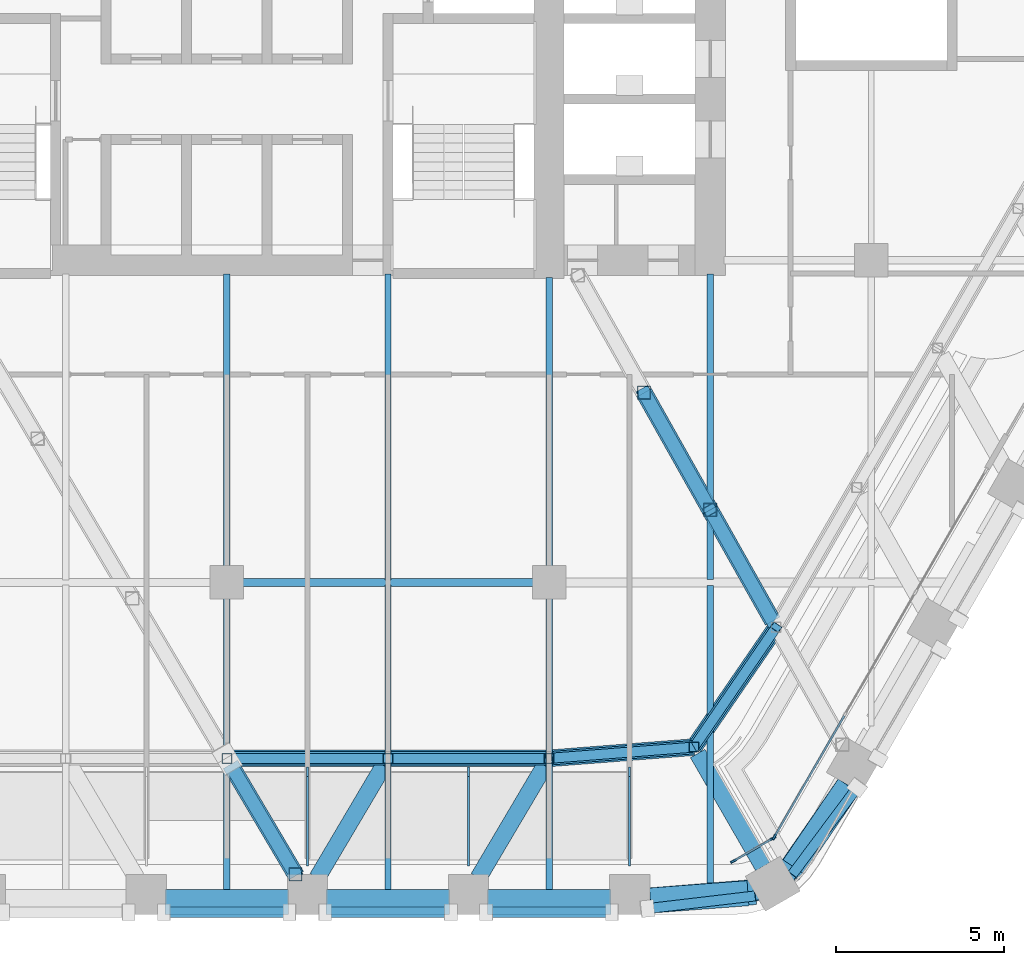
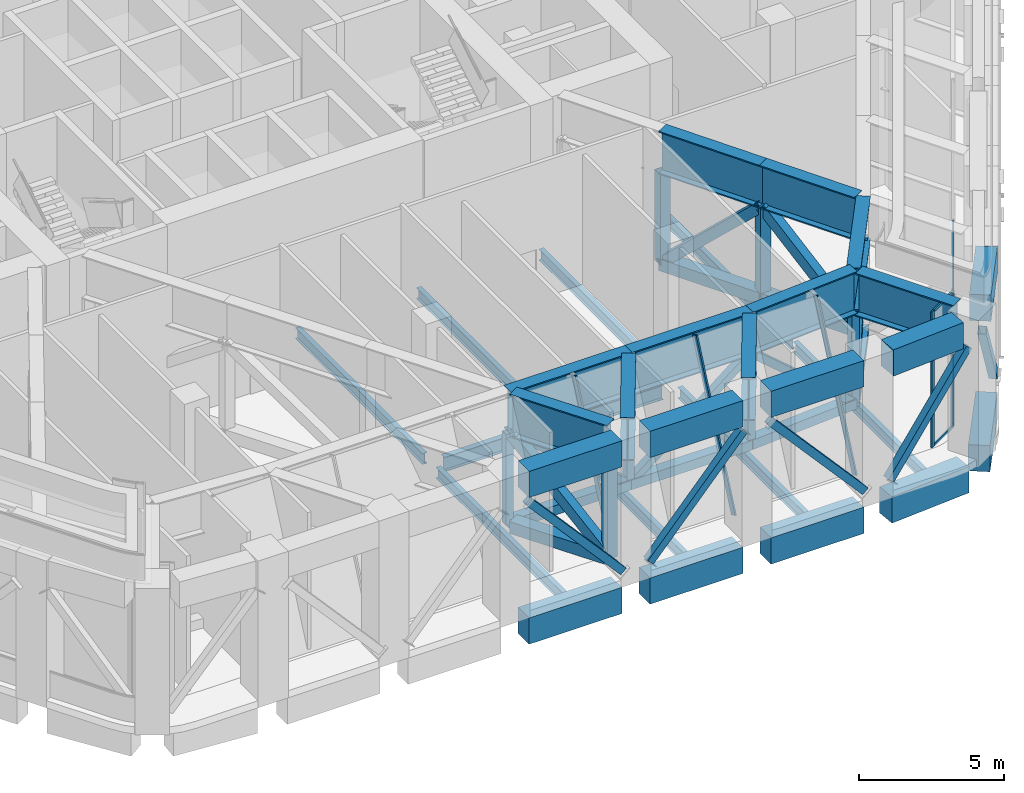
# One storey, part 5 of 27: 36 members, 29 beams, 3 elements without a shape of their own.
"""IFC4 building model written with IfcOpenShell, lengths in metres."""

import ifcopenshell
import ifcopenshell.guid

model = None  # the IFC model being written
_history = None  # IfcOwnerHistory: only IFC2X3 demands one
_inside = {}  # id of a spatial element -> (the spatial element, [elements in it])
_under = {}  # id of a project, library or spatial element -> (it, [spatial elements below it])
_declared = {}  # id of a project -> (the project, [libraries it declares])
_typed = {}  # id of a type object -> (the type object, [elements of that type])
_made_of = {}  # id of a material, layer set ... -> (it, [elements and type objects made of it])


def new_model(schema):
    """Start an empty IFC model of exactly this schema.

    Asked for "IFC4X3", IfcOpenShell would pick the latest addendum, in which some entities
    have other attributes; the version numbers below select the first issue.
    IFC2X3 requires an IfcOwnerHistory on every rooted entity: one is made here for all.
    """
    global model, _history
    if schema == "IFC4X3":
        model = ifcopenshell.file(schema_version=(4, 3, 0, 0))
    else:
        model = ifcopenshell.file(schema=schema)
    _inside.clear()
    _under.clear()
    _declared.clear()
    _typed.clear()
    _made_of.clear()
    _history = None
    if model.schema == "IFC2X3":
        org = make("IfcOrganization", Name="unknown")
        user = make(
            "IfcPersonAndOrganization",
            ThePerson=make("IfcPerson", FamilyName="unknown"),
            TheOrganization=org,
        )
        app = make(
            "IfcApplication",
            ApplicationDeveloper=org,
            Version="unknown",
            ApplicationFullName="unknown",
            ApplicationIdentifier="unknown",
        )
        _history = make(
            "IfcOwnerHistory",
            OwningUser=user,
            OwningApplication=app,
            ChangeAction="ADDED",
            CreationDate=0,
        )
    return model


def make(cls, **values):
    """One entity of the class cls with the attributes given. An attribute that is None is left unset."""
    return model.create_entity(
        cls, **{name: value for name, value in values.items() if value is not None}
    )


def rooted(cls, **values):
    """An entity with a GlobalId (a new one), such as an element, a storey or a relation."""
    return make(cls, GlobalId=ifcopenshell.guid.new(), OwnerHistory=_history, **values)


def si_unit(unit_type, name, prefix=None):
    """IfcSIUnit, for example si_unit("LENGTHUNIT", "METRE", prefix="MILLI")."""
    return make("IfcSIUnit", UnitType=unit_type, Prefix=prefix, Name=name)


def assignment(units):
    """IfcUnitAssignment: the units of a project."""
    return None if units is None else make("IfcUnitAssignment", Units=units)


def point(xyz):
    """IfcCartesianPoint."""
    return None if xyz is None else make("IfcCartesianPoint", Coordinates=xyz)


def direction(xyz):
    """IfcDirection."""
    return None if xyz is None else make("IfcDirection", DirectionRatios=xyz)


def frame(location, z_axis=None, x_axis=None):
    """IfcAxis2Placement3D, a coordinate frame: its origin and axes. An axis left out is left unset."""
    return make(
        "IfcAxis2Placement3D",
        Location=point(location),
        Axis=direction(z_axis),
        RefDirection=direction(x_axis),
    )


def frame_2d(location, x_axis=None):
    """IfcAxis2Placement2D, a coordinate frame in the plane: its origin and x axis."""
    return make(
        "IfcAxis2Placement2D", Location=point(location), RefDirection=direction(x_axis)
    )


def origin():
    """The frame at (0, 0, 0) with its axes left unset."""
    return frame((0.0, 0.0, 0.0))


def origin_2d():
    """The frame at (0, 0) in the plane with its x axis left unset."""
    return frame_2d((0.0, 0.0))


def place(relative_to, where):
    """IfcLocalPlacement: puts the frame where relative to a parent placement (None: the world)."""
    return make(
        "IfcLocalPlacement", PlacementRelTo=relative_to, RelativePlacement=where
    )


def context(
    kind, dimensions, precision=None, world=None, true_north=None, identifier=None
):
    """IfcGeometricRepresentationContext, for example the 3D "Model" context."""
    return make(
        "IfcGeometricRepresentationContext",
        ContextIdentifier=identifier,
        ContextType=kind,
        CoordinateSpaceDimension=dimensions,
        Precision=precision,
        WorldCoordinateSystem=world,
        TrueNorth=true_north,
    )


def subcontext(parent, identifier, kind, view, scale=None):
    """IfcGeometricRepresentationSubContext, for example "Body" below "Model"."""
    return make(
        "IfcGeometricRepresentationSubContext",
        ContextIdentifier=identifier,
        ContextType=kind,
        ParentContext=parent,
        TargetScale=scale,
        TargetView=view,
    )


def project(units=None, contexts=None):
    """IfcProject with its units and contexts."""
    return rooted(
        "IfcProject",
        Name="project",
        RepresentationContexts=contexts,
        UnitsInContext=assignment(units),
    )


def spatial(cls, under=None, at=None, **own):
    """A site, building, storey or space (cls), placed at a placement, below another one or the project."""
    s = rooted(cls, ObjectPlacement=at, **own)
    if under is not None:
        _under.setdefault(under.id(), (under, []))[1].append(s)
    return s


def profile(cls, at=None, kind="AREA", **sizes):
    """A parametric profile (cls). Its sizes go by their IFC names, for example OverallWidth=200.0."""
    return make(cls, ProfileType=kind, Position=at, **sizes)


def rectangle(**sizes):
    """IfcRectangleProfileDef."""
    return profile("IfcRectangleProfileDef", **sizes)


def hollow_rectangle(**sizes):
    """IfcRectangleHollowProfileDef."""
    return profile("IfcRectangleHollowProfileDef", **sizes)


def i_section(**sizes):
    """IfcIShapeProfileDef."""
    return profile("IfcIShapeProfileDef", **sizes)


def extrude(swept, where, along, depth):
    """IfcExtrudedAreaSolid: the profile swept, set in the frame where, extruded along a direction by depth."""
    return make(
        "IfcExtrudedAreaSolid",
        SweptArea=swept,
        Position=where,
        ExtrudedDirection=direction(along),
        Depth=depth,
    )


def shape(context_of_items, identifier, shape_type, items):
    """IfcShapeRepresentation: the items that make up one representation, for example the "Body"."""
    return make(
        "IfcShapeRepresentation",
        ContextOfItems=context_of_items,
        RepresentationIdentifier=identifier,
        RepresentationType=shape_type,
        Items=items,
    )


def material(Name=None, Category=None):
    """IfcMaterial."""
    return make("IfcMaterial", Name=Name, Category=Category)


def material_profile(
    of_material, cross_section, Name=None, Category=None, Priority=None
):
    """IfcMaterialProfile: a cross section and its material."""
    return make(
        "IfcMaterialProfile",
        Name=Name,
        Material=of_material,
        Profile=cross_section,
        Priority=Priority,
        Category=Category,
    )


def profile_set(profiles, Name=None, composite=None):
    """IfcMaterialProfileSet."""
    return make(
        "IfcMaterialProfileSet",
        Name=Name,
        MaterialProfiles=profiles,
        CompositeProfile=composite,
    )


def made_of(thing, what):
    """Note that an element or type object is made of a material, layer set ...; save() writes the relation."""
    if what is not None:
        _made_of.setdefault(what.id(), (what, []))[1].append(thing)
    return thing


def type_object(cls, material=None, **own):
    """A type object (cls), such as IfcWallType, which elements share."""
    return made_of(rooted(cls, **own), material)


def element(
    cls,
    number,
    at=None,
    inside=None,
    cuts=None,
    type_object=None,
    material=None,
    context=None,
    identifier="Body",
    shape_type=None,
    held_by="IfcProductDefinitionShape",
    body=None,
    shapes=None,
    **own,
):
    """One element of the class cls, such as IfcWall. Its Tag is "e" and its number.

    at: its placement. inside: the storey or other place that contains it. cuts: it is an
    opening in that element (IfcRelVoidsElement). A single representation is given by context,
    identifier, shape_type and body (its items); several are given by shapes. held_by: the class
    of the entity that holds the representations. save() writes the other relations.
    """
    e = rooted(cls, Tag="e%d" % number, ObjectPlacement=at, **own)
    if body is not None:
        shapes = [shape(context, identifier, shape_type, body)]
    if shapes is not None:
        e.Representation = make(held_by, Representations=shapes)
    if inside is not None:
        _inside.setdefault(inside.id(), (inside, []))[1].append(e)
    if cuts is not None:
        rooted(
            "IfcRelVoidsElement", RelatingBuildingElement=cuts, RelatedOpeningElement=e
        )
    if type_object is not None:
        _typed.setdefault(type_object.id(), (type_object, []))[1].append(e)
    return made_of(e, material)


def aggregate(whole, parts):
    """IfcRelAggregates: a whole, such as a stair, and the parts it consists of."""
    return rooted("IfcRelAggregates", RelatingObject=whole, RelatedObjects=parts)


def save(model, path):
    """Write the relations noted so far, then the file.

    IfcRelAggregates (storeys below a building ...), IfcRelContainedInSpatialStructure (elements
    in a storey), IfcRelDefinesByType, IfcRelAssociatesMaterial and IfcRelDeclares: one each for
    every whole, place, type object, material and project.
    """
    for whole, parts in _under.values():
        aggregate(whole, parts)
    for where, things in _inside.values():
        rooted(
            "IfcRelContainedInSpatialStructure",
            RelatedElements=things,
            RelatingStructure=where,
        )
    for kind, things in _typed.values():
        rooted("IfcRelDefinesByType", RelatedObjects=things, RelatingType=kind)
    for what, things in _made_of.values():
        rooted("IfcRelAssociatesMaterial", RelatedObjects=things, RelatingMaterial=what)
    for by, libraries in _declared.values():
        rooted("IfcRelDeclares", RelatingContext=by, RelatedDefinitions=libraries)
    model.write(path)


model = new_model("IFC4")

# Units and contexts
model_context = context("Model", 3, precision=1e-05, world=origin(), true_north=direction((0.0, 1.0)))
body_context = subcontext(model_context, "Body", "Model", "MODEL_VIEW")
ifc_project = project(units=[si_unit("LENGTHUNIT", "METRE"), si_unit("AREAUNIT", "SQUARE_METRE"), si_unit("VOLUMEUNIT", "CUBIC_METRE"), si_unit("PLANEANGLEUNIT", "RADIAN"), si_unit("MASSUNIT", "GRAM", prefix="KILO")], contexts=[model_context])

# Site, building, storey
site_placement = place(None, origin())
site = spatial("IfcSite", under=ifc_project, at=site_placement, CompositionType="ELEMENT")
building_placement = place(site_placement, origin())
building = spatial("IfcBuilding", under=site, at=building_placement, Name="Kolab Exchange Tower", CompositionType="ELEMENT")
storey_placement = place(building_placement, frame((0.0, 0.0, 127.39990234375)))
storey = spatial("IfcBuildingStorey", under=building, at=storey_placement, Name="L25", CompositionType="ELEMENT", Elevation=127.39990234375)

# Members
ifc_material_1 = material(Name="Steel S355", Category="steel")
ifc_material_profile_1 = material_profile(ifc_material_1, hollow_rectangle(XDim=0.300048828125, YDim=0.300048828125, WallThickness=0.01611328125, at=origin_2d()), Name="HSS300X300X16")
ifc_profile_set_1 = profile_set([ifc_material_profile_1], Name="Steel S355")
member_type_1 = type_object("IfcMemberType", Name="BELT TRUSS BRACE HSS300X300X16", PredefinedType="BRACE", material=ifc_profile_set_1)
for number, where, z_axis, x_axis, name in (
    (1, (16.366943359375, -20.53466796875, 4.050048828125), (-0.425043766776, -0.619959660224, -0.659536061198), (0.824773170365, -0.565463718948, 0.0), "mem/L25/ring/d-F3-06"),
    (2, (13.91796875, -24.106689453125, 0.25), (-0.749417906102, -0.058094082849, 0.659543690404), (0.077287073139, -0.997008880766, 0.0), "mem/L25/ring/d-F4-01"),
):
    element("IfcMember", number, at=place(storey_placement, frame(where, z_axis=z_axis, x_axis=x_axis)), inside=storey, type_object=member_type_1, Name=name, PredefinedType="BRACE", context=body_context, shape_type="SweptSolid", body=[
        extrude(hollow_rectangle(XDim=0.300048828125, YDim=0.300048828125, WallThickness=0.01611328125, at=origin_2d()), origin(), (0.0, 0.0, 1.0), 5.76171875),
    ])
for number, where, z_axis, x_axis, name in (
    (3, (9.60009765625, -24.44140625, 4.050048828125), (-0.784045015832, 0.0, -0.620703965791), (0.0, -1.0, 0.0), "mem/L25/ring/d-F4-02"),
    (4, (4.800048828125, -24.44140625, 0.25), (-0.784045015832, 0.0, 0.620703965791), (0.0, -1.0, 0.0), "mem/L25/ring/d-F4-03"),
):
    element("IfcMember", number, at=place(storey_placement, frame(where, z_axis=z_axis, x_axis=x_axis)), inside=storey, type_object=member_type_1, Name=name, PredefinedType="BRACE", context=body_context, shape_type="SweptSolid", body=[
        extrude(hollow_rectangle(XDim=0.300048828125, YDim=0.300048828125, WallThickness=0.01611328125, at=origin_2d()), origin(), (0.0, 0.0, 1.0), 6.1220703125),
    ])
for number, where, z_axis, x_axis, name in (
    (5, (18.775634765625, -25.3154296875, 0.400146484375), (-0.371973431828, -0.498922162691, 0.782759504311), (0.801707642151, -0.597716367951, 0.0), "mem/L25/fb/F3-07"),
    (6, (15.852294921875, -28.52783203125, 4.60009765625), (-0.618051289973, -0.072711916467, -0.782767896739), (0.116841247567, -0.993150604323, 0.0), "mem/L25/fb/F4-01"),
):
    element("IfcMember", number, at=place(storey_placement, frame(where, z_axis=z_axis, x_axis=x_axis)), inside=storey, type_object=member_type_1, Name=name, PredefinedType="BRACE", context=body_context, shape_type="SweptSolid", body=[
        extrude(hollow_rectangle(XDim=0.300048828125, YDim=0.300048828125, WallThickness=0.01611328125, at=origin_2d()), origin(), (0.0, 0.0, 1.0), 5.365478515625),
    ])
for number, where, z_axis, x_axis, name in (
    (7, (11.462158203125, -29.026611328125, 0.400146484375), (-0.663475226758, 0.0, 0.748198251453), (0.0, -1.0, 0.0), "mem/L25/fb/F4-02"),
    (8, (6.662109375, -29.026611328125, 4.60009765625), (-0.663475226758, 0.0, -0.748198251453), (0.0, -1.0, 0.0), "mem/L25/fb/F4-03"),
    (9, (1.8623046875, -29.026611328125, 0.400146484375), (-0.663499572728, 0.0, 0.748176661618), (0.0, -1.0, 0.0), "mem/L25/fb/F4-04"),
):
    element("IfcMember", number, at=place(storey_placement, frame(where, z_axis=z_axis, x_axis=x_axis)), inside=storey, type_object=member_type_1, Name=name, PredefinedType="BRACE", context=body_context, shape_type="SweptSolid", body=[
        extrude(hollow_rectangle(XDim=0.300048828125, YDim=0.300048828125, WallThickness=0.01611328125, at=origin_2d()), origin(), (0.0, 0.0, 1.0), 5.613525390625),
    ])
ifc_material_profile_2 = material_profile(ifc_material_1, hollow_rectangle(XDim=0.39990234375, YDim=0.39990234375, WallThickness=0.02001953125, at=origin_2d()), Name="HSS400X400X20")
ifc_profile_set_2 = profile_set([ifc_material_profile_2], Name="Steel S355")
member_type_2 = type_object("IfcMemberType", Name="BELT TRUSS CHORD HSS400X400X20", PredefinedType="CHORD", material=ifc_profile_set_2)
for number, where, z_axis, x_axis, name in (
    (10, (16.366943359375, -20.53466796875, 0.25), (-0.565463718948, -0.824773170365, 0.0), (0.824773170365, -0.565463718948, 0.0), "mem/L25/ring/c-F3-06"),
    (11, (13.91796875, -24.106689453125, 0.25), (-0.997008880766, -0.077287073139, 0.0), (0.077287073139, -0.997008880766, 0.0), "mem/L25/ring/c-F4-01"),
):
    element("IfcMember", number, at=place(storey_placement, frame(where, z_axis=z_axis, x_axis=x_axis)), inside=storey, type_object=member_type_2, Name=name, PredefinedType="CHORD", context=body_context, shape_type="SweptSolid", body=[
        extrude(hollow_rectangle(XDim=0.39990234375, YDim=0.39990234375, WallThickness=0.02001953125, at=origin_2d()), origin(), (0.0, 0.0, 1.0), 4.330810546875),
    ])
for number, where, z_axis, x_axis, name in (
    (12, (9.60009765625, -24.44140625, 0.25), (-1.0, 0.0, 0.0), (0.0, -1.0, 0.0), "mem/L25/ring/c-F4-02"),
    (13, (4.800048828125, -24.44140625, 0.25), (-1.0, 0.0, 0.0), (0.0, -1.0, 0.0), "mem/L25/ring/c-F4-03"),
):
    element("IfcMember", number, at=place(storey_placement, frame(where, z_axis=z_axis, x_axis=x_axis)), inside=storey, type_object=member_type_2, Name=name, PredefinedType="CHORD", context=body_context, shape_type="SweptSolid", body=[
        extrude(hollow_rectangle(XDim=0.39990234375, YDim=0.39990234375, WallThickness=0.02001953125, at=origin_2d()), origin(), (0.0, 0.0, 1.0), 4.800048828125),
    ])

# Beams
ifc_material_profile_3 = material_profile(ifc_material_1, i_section(OverallWidth=0.5, OverallDepth=1.800048828125, WebThickness=0.031982421875, FlangeThickness=0.050048828125, at=origin_2d()), Name="PG1800X500")
ifc_profile_set_3 = profile_set([ifc_material_profile_3], Name="Steel S355")
beam_type_1 = type_object("IfcBeamType", Name="BELT TRUSS GIRDER PG1800X500", PredefinedType="BEAM", material=ifc_profile_set_3)
for number, where, z_axis, x_axis, name in (
    (14, (16.366943359375, -20.53466796875, 4.9501953125), (-0.565463718948, -0.824773170365, 0.0), (0.824773170365, -0.565463718948, 0.0), "beam/L25/bg/F3-out"),
    (15, (13.91796875, -24.106689453125, 4.9501953125), (-0.997008880766, -0.077287073139, 0.0), (0.077287073139, -0.997008880766, 0.0), "beam/L25/bg/F4-in"),
):
    element("IfcBeam", number, at=place(storey_placement, frame(where, z_axis=z_axis, x_axis=x_axis)), inside=storey, type_object=beam_type_1, Name=name, PredefinedType="BEAM", context=body_context, shape_type="SweptSolid", body=[
        extrude(i_section(OverallWidth=0.5, OverallDepth=1.800048828125, WebThickness=0.031982421875, FlangeThickness=0.050048828125, at=origin_2d()), origin(), (0.0, 0.0, 1.0), 4.330810546875),
    ])
for number, where, z_axis, x_axis, name in (
    (16, (9.60009765625, -24.44140625, 4.9501953125), (-1.0, 0.0, 0.0), (0.0, -1.0, 0.0), "beam/L25/bg/F4-run0"),
    (17, (4.800048828125, -24.44140625, 4.9501953125), (-1.0, 0.0, 0.0), (0.0, -1.0, 0.0), "beam/L25/bg/F4-run1"),
):
    element("IfcBeam", number, at=place(storey_placement, frame(where, z_axis=z_axis, x_axis=x_axis)), inside=storey, type_object=beam_type_1, Name=name, PredefinedType="BEAM", context=body_context, shape_type="SweptSolid", body=[
        extrude(i_section(OverallWidth=0.5, OverallDepth=1.800048828125, WebThickness=0.031982421875, FlangeThickness=0.050048828125, at=origin_2d()), origin(), (0.0, 0.0, 1.0), 4.800048828125),
    ])

# Members
ifc_material_profile_4 = material_profile(ifc_material_1, hollow_rectangle(XDim=0.300048828125, YDim=0.300048828125, WallThickness=0.01611328125, at=origin_2d()), Name="HSS300X300X16")
ifc_profile_set_4 = profile_set([ifc_material_profile_4], Name="Steel S355")
member_type_3 = type_object("IfcMemberType", Name="BELT TRUSS POST HSS300X300X16", PredefinedType="POST", material=ifc_profile_set_4)
for number, where, z_axis, x_axis, name in (
    (18, (13.91796875, -24.106689453125, 0.25), (0.0, 0.0, 1.0), (1.0, 0.0, 0.0), "mem/L25/ring/p-F4-01"),
    (19, (9.60009765625, -24.44140625, 0.25), (0.0, 0.0, 1.0), (1.0, 0.0, 0.0), "mem/L25/ring/p-F4-02"),
    (20, (4.800048828125, -24.44140625, 0.25), (0.0, 0.0, 1.0), (1.0, 0.0, 0.0), "mem/L25/ring/p-F4-03"),
    (21, (0.0, -24.44140625, 0.25), (0.0, 0.0, 1.0), (1.0, 0.0, 0.0), "mem/L25/ring/p-F4-04"),
):
    element("IfcMember", number, at=place(storey_placement, frame(where, z_axis=z_axis, x_axis=x_axis)), inside=storey, type_object=member_type_3, Name=name, PredefinedType="POST", context=body_context, shape_type="SweptSolid", body=[
        extrude(hollow_rectangle(XDim=0.300048828125, YDim=0.300048828125, WallThickness=0.01611328125, at=origin_2d()), origin(), (0.0, 0.0, 1.0), 3.800048828125),
    ])

# Curtain wall, members
ifc_material_2 = material(Name="Aluminium EN AW-6063 T6", Category="aluminium")
curtain_wall_type_1 = type_object("IfcCurtainWallType", Name="CANTED BAND CURTAIN WALL", PredefinedType="NOTDEFINED", material=ifc_material_2)
curtain_wall_1_placement = place(storey_placement, origin())
curtain_wall_1 = element("IfcCurtainWall", 22, at=curtain_wall_1_placement, inside=storey, type_object=curtain_wall_type_1, Name="band/L25/F4", PredefinedType="NOTDEFINED")
ifc_material_profile_5 = material_profile(ifc_material_2, rectangle(XDim=0.06005859375, YDim=0.300048828125, at=origin_2d()), Name="RECT 60X300")
ifc_profile_set_5 = profile_set([ifc_material_profile_5], Name="Aluminium EN AW-6063 T6")
member_type_4 = type_object("IfcMemberType", Name="CANTED BAND MULLION 60 X 300", PredefinedType="MULLION", material=ifc_profile_set_5)
member_1_placement = place(storey_placement, frame((12.0, -27.5185546875, -0.099853515625), z_axis=(0.0, 0.410878778787, 0.911689985216), x_axis=(-1.0, 0.0, 0.0)))
member_1 = element("IfcMember", 23, at=member_1_placement, type_object=member_type_4, Name="Band mullion", PredefinedType="MULLION", context=body_context, shape_type="SweptSolid", body=[
    extrude(rectangle(XDim=0.06005859375, YDim=0.300048828125, at=origin_2d()), origin(), (0.0, 0.0, 1.0), 6.515380859375),
])
member_2_placement = place(storey_placement, frame((7.199951171875, -27.5185546875, -0.099853515625), z_axis=(0.0, 0.410878778787, 0.911689985216), x_axis=(-1.0, 0.0, 0.0)))
member_2 = element("IfcMember", 24, at=member_2_placement, type_object=member_type_4, Name="Band mullion", PredefinedType="MULLION", context=body_context, shape_type="SweptSolid", body=[
    extrude(rectangle(XDim=0.06005859375, YDim=0.300048828125, at=origin_2d()), origin(), (0.0, 0.0, 1.0), 6.515380859375),
])
member_3_placement = place(storey_placement, frame((2.39990234375, -27.5185546875, -0.099853515625), z_axis=(0.0, 0.410878778787, 0.911689985216), x_axis=(-1.0, 0.0, 0.0)))
member_3 = element("IfcMember", 25, at=member_3_placement, type_object=member_type_4, Name="Band mullion", PredefinedType="MULLION", context=body_context, shape_type="SweptSolid", body=[
    extrude(rectangle(XDim=0.06005859375, YDim=0.300048828125, at=origin_2d()), origin(), (0.0, 0.0, 1.0), 6.515380859375),
])
aggregate(curtain_wall_1, [member_1, member_2, member_3])

# Beams
ifc_material_profile_6 = material_profile(ifc_material_1, i_section(OverallWidth=0.18994140625, OverallDepth=0.45703125, WebThickness=0.009033203125, FlangeThickness=0.014404296875, at=origin_2d()), Name="W460X74")
ifc_profile_set_6 = profile_set([ifc_material_profile_6], Name="Steel S355")
beam_type_2 = type_object("IfcBeamType", Name="FLOOR BEAM W460X74", PredefinedType="BEAM", material=ifc_profile_set_6)
beam_1_placement = place(storey_placement, frame((0.0, -28.388427734375, -0.5283203125), z_axis=(0.0, 1.0, 0.0), x_axis=(-1.0, 0.0, 0.0)))
element("IfcBeam", 26, at=beam_1_placement, inside=storey, type_object=beam_type_2, Name="beam/L25/fr/024", PredefinedType="BEAM", context=body_context, shape_type="SweptSolid", body=[
    extrude(i_section(OverallWidth=0.18994140625, OverallDepth=0.45703125, WebThickness=0.009033203125, FlangeThickness=0.014404296875, at=origin_2d()), origin(), (0.0, 0.0, 1.0), 8.728515625),
])
beam_2_placement = place(storey_placement, frame((0.0, -18.739990234375, -0.5283203125), z_axis=(0.0, 1.0, 0.0), x_axis=(-1.0, 0.0, 0.0)))
element("IfcBeam", 27, at=beam_2_placement, inside=storey, type_object=beam_type_2, Name="beam/L25/fr/025", PredefinedType="BEAM", context=body_context, shape_type="SweptSolid", body=[
    extrude(i_section(OverallWidth=0.18994140625, OverallDepth=0.45703125, WebThickness=0.009033203125, FlangeThickness=0.014404296875, at=origin_2d()), origin(), (0.0, 0.0, 1.0), 8.72998046875),
])
beam_3_placement = place(storey_placement, frame((4.800048828125, -28.388427734375, -0.5283203125), z_axis=(0.0, 1.0, 0.0), x_axis=(-1.0, 0.0, 0.0)))
element("IfcBeam", 28, at=beam_3_placement, inside=storey, type_object=beam_type_2, Name="beam/L25/fr/028", PredefinedType="BEAM", context=body_context, shape_type="SweptSolid", body=[
    extrude(i_section(OverallWidth=0.18994140625, OverallDepth=0.45703125, WebThickness=0.009033203125, FlangeThickness=0.014404296875, at=origin_2d()), origin(), (0.0, 0.0, 1.0), 9.114501953125),
])
beam_4_placement = place(storey_placement, frame((4.800048828125, -19.1259765625, -0.5283203125), z_axis=(0.0, 1.0, 0.0), x_axis=(-1.0, 0.0, 0.0)))
element("IfcBeam", 29, at=beam_4_placement, inside=storey, type_object=beam_type_2, Name="beam/L25/fr/029", PredefinedType="BEAM", context=body_context, shape_type="SweptSolid", body=[
    extrude(i_section(OverallWidth=0.18994140625, OverallDepth=0.45703125, WebThickness=0.009033203125, FlangeThickness=0.014404296875, at=origin_2d()), origin(), (0.0, 0.0, 1.0), 9.115966796875),
])
beam_5_placement = place(storey_placement, frame((9.60009765625, -28.388427734375, -0.5283203125), z_axis=(0.0, 1.0, 0.0), x_axis=(-1.0, 0.0, 0.0)))
element("IfcBeam", 30, at=beam_5_placement, inside=storey, type_object=beam_type_2, Name="beam/L25/fr/032", PredefinedType="BEAM", context=body_context, shape_type="SweptSolid", body=[
    extrude(i_section(OverallWidth=0.18994140625, OverallDepth=0.45703125, WebThickness=0.009033203125, FlangeThickness=0.014404296875, at=origin_2d()), origin(), (0.0, 0.0, 1.0), 8.728515625),
])
beam_6_placement = place(storey_placement, frame((9.60009765625, -18.739990234375, -0.5283203125), z_axis=(0.0, 1.0, 0.0), x_axis=(-1.0, 0.0, 0.0)))
element("IfcBeam", 31, at=beam_6_placement, inside=storey, type_object=beam_type_2, Name="beam/L25/fr/033", PredefinedType="BEAM", context=body_context, shape_type="SweptSolid", body=[
    extrude(i_section(OverallWidth=0.18994140625, OverallDepth=0.45703125, WebThickness=0.009033203125, FlangeThickness=0.014404296875, at=origin_2d()), origin(), (0.0, 0.0, 1.0), 8.6298828125),
])
beam_7_placement = place(storey_placement, frame((14.39990234375, -28.194580078125, -0.5283203125), z_axis=(0.0, 1.0, 0.0), x_axis=(-1.0, 0.0, 0.0)))
element("IfcBeam", 32, at=beam_7_placement, inside=storey, type_object=beam_type_2, Name="beam/L25/fr/036", PredefinedType="BEAM", context=body_context, shape_type="SweptSolid", body=[
    extrude(i_section(OverallWidth=0.18994140625, OverallDepth=0.45703125, WebThickness=0.009033203125, FlangeThickness=0.014404296875, at=origin_2d()), origin(), (0.0, 0.0, 1.0), 8.901123046875),
])
beam_8_placement = place(storey_placement, frame((14.39990234375, -19.1064453125, -0.5283203125), z_axis=(0.0, 1.0, 0.0), x_axis=(-1.0, 0.0, 0.0)))
element("IfcBeam", 33, at=beam_8_placement, inside=storey, type_object=beam_type_2, Name="beam/L25/fr/037", PredefinedType="BEAM", context=body_context, shape_type="SweptSolid", body=[
    extrude(i_section(OverallWidth=0.18994140625, OverallDepth=0.45703125, WebThickness=0.009033203125, FlangeThickness=0.014404296875, at=origin_2d()), origin(), (0.0, 0.0, 1.0), 9.096435546875),
])
ifc_material_profile_7 = material_profile(ifc_material_1, i_section(OverallWidth=0.22802734375, OverallDepth=0.60791015625, WebThickness=0.01123046875, FlangeThickness=0.017333984375, at=origin_2d()), Name="W610X113")
ifc_profile_set_7 = profile_set([ifc_material_profile_7], Name="Steel S355")
beam_type_3 = type_object("IfcBeamType", Name="FLOOR GIRDER W610X113", PredefinedType="BEAM", material=ifc_profile_set_7)
beam_9_placement = place(storey_placement, frame((0.4599609375, -19.199951171875, -0.60400390625), z_axis=(1.0, 0.0, 0.0), x_axis=(0.0, 1.0, 0.0)))
element("IfcBeam", 34, at=beam_9_placement, inside=storey, type_object=beam_type_3, Name="beam/L25/gd/010", PredefinedType="BEAM", context=body_context, shape_type="SweptSolid", body=[
    extrude(i_section(OverallWidth=0.22802734375, OverallDepth=0.60791015625, WebThickness=0.01123046875, FlangeThickness=0.017333984375, at=origin_2d()), origin(), (0.0, 0.0, 1.0), 8.679931640625),
])

# Members
ifc_material_profile_8 = material_profile(ifc_material_1, hollow_rectangle(XDim=0.39990234375, YDim=0.39990234375, WallThickness=0.02001953125, at=origin_2d()), Name="HSS400X400X20")
ifc_profile_set_8 = profile_set([ifc_material_profile_8], Name="Steel S355")
member_type_5 = type_object("IfcMemberType", Name="OUTRIGGER BRACE HSS400X400X20", PredefinedType="BRACE", material=ifc_profile_set_8)
member_4_placement = place(storey_placement, frame((12.4296875, -13.544921875, 0.25), z_axis=(0.356306477302, -0.632505855975, 0.687736894743), x_axis=(0.871268156325, 0.49080729393, 0.0)))
element("IfcMember", 35, at=member_4_placement, inside=storey, type_object=member_type_5, Name="mem/L25/out/02/d01", PredefinedType="BRACE", context=body_context, shape_type="SweptSolid", body=[
    extrude(hollow_rectangle(XDim=0.39990234375, YDim=0.39990234375, WallThickness=0.02001953125, at=origin_2d()), origin(), (0.0, 0.0, 1.0), 5.525390625),
])
member_5_placement = place(storey_placement, frame((14.3984375, -17.039794921875, 4.050048828125), z_axis=(0.347080423166, -0.616168818251, -0.707015676821), x_axis=(0.871282057065, 0.490782616884, 0.0)))
element("IfcMember", 36, at=member_5_placement, inside=storey, type_object=member_type_5, Name="mem/L25/out/02/d02", PredefinedType="BRACE", context=body_context, shape_type="SweptSolid", body=[
    extrude(hollow_rectangle(XDim=0.39990234375, YDim=0.39990234375, WallThickness=0.02001953125, at=origin_2d()), origin(), (0.0, 0.0, 1.0), 5.374755859375),
])
member_6_placement = place(storey_placement, frame((0.10693359375, -24.622314453125, 4.050048828125), z_axis=(0.360355288287, -0.609095303379, -0.706503345785), x_axis=(0.860656991988, 0.509185174707, 0.0)))
element("IfcMember", 37, at=member_6_placement, inside=storey, type_object=member_type_5, Name="mem/L25/out/03/d03", PredefinedType="BRACE", context=body_context, shape_type="SweptSolid", body=[
    extrude(hollow_rectangle(XDim=0.39990234375, YDim=0.39990234375, WallThickness=0.02001953125, at=origin_2d()), origin(), (0.0, 0.0, 1.0), 5.378662109375),
])
ifc_material_profile_9 = material_profile(ifc_material_1, hollow_rectangle(XDim=0.5, YDim=0.5, WallThickness=0.02490234375, at=origin_2d()), Name="HSS500X500X25")
ifc_profile_set_9 = profile_set([ifc_material_profile_9], Name="Steel S355")
member_type_6 = type_object("IfcMemberType", Name="OUTRIGGER CHORD HSS500X500X25", PredefinedType="CHORD", material=ifc_profile_set_9)
member_7_placement = place(storey_placement, frame((12.4296875, -13.544921875, 0.25), z_axis=(0.49080729393, -0.871268156325, 0.0), x_axis=(0.871268156325, 0.49080729393, 0.0)))
element("IfcMember", 38, at=member_7_placement, inside=storey, type_object=member_type_6, Name="mem/L25/out/02/c01", PredefinedType="CHORD", context=body_context, shape_type="SweptSolid", body=[
    extrude(hollow_rectangle(XDim=0.5, YDim=0.5, WallThickness=0.02490234375, at=origin_2d()), origin(), (0.0, 0.0, 1.0), 4.01123046875),
])
member_8_placement = place(storey_placement, frame((14.3984375, -17.039794921875, 0.25), z_axis=(0.490782616884, -0.871282057065, 0.0), x_axis=(0.871282057065, 0.490782616884, 0.0)))
element("IfcMember", 39, at=member_8_placement, inside=storey, type_object=member_type_6, Name="mem/L25/out/02/c02", PredefinedType="CHORD", context=body_context, shape_type="SweptSolid", body=[
    extrude(hollow_rectangle(XDim=0.5, YDim=0.5, WallThickness=0.02490234375, at=origin_2d()), origin(), (0.0, 0.0, 1.0), 3.801025390625),
])
member_9_placement = place(storey_placement, frame((0.10693359375, -24.622314453125, 0.25), z_axis=(0.509185174707, -0.860656991988, 0.0), x_axis=(0.860656991988, 0.509185174707, 0.0)))
element("IfcMember", 40, at=member_9_placement, inside=storey, type_object=member_type_6, Name="mem/L25/out/03/c03", PredefinedType="CHORD", context=body_context, shape_type="SweptSolid", body=[
    extrude(hollow_rectangle(XDim=0.5, YDim=0.5, WallThickness=0.02490234375, at=origin_2d()), origin(), (0.0, 0.0, 1.0), 3.806640625),
])

# Beams
ifc_material_profile_10 = material_profile(ifc_material_1, i_section(OverallWidth=0.5, OverallDepth=1.800048828125, WebThickness=0.031982421875, FlangeThickness=0.050048828125, at=origin_2d()), Name="PG1800X500")
ifc_profile_set_10 = profile_set([ifc_material_profile_10], Name="Steel S355")
beam_type_4 = type_object("IfcBeamType", Name="OUTRIGGER GIRDER PG1800X500", PredefinedType="BEAM", material=ifc_profile_set_10)
beam_10_placement = place(storey_placement, frame((12.4296875, -13.544921875, 4.9501953125), z_axis=(0.49080729393, -0.871268156325, 0.0), x_axis=(0.871268156325, 0.49080729393, 0.0)))
element("IfcBeam", 41, at=beam_10_placement, inside=storey, type_object=beam_type_4, Name="beam/L25/og/02-01", PredefinedType="BEAM", context=body_context, shape_type="SweptSolid", body=[
    extrude(i_section(OverallWidth=0.5, OverallDepth=1.800048828125, WebThickness=0.031982421875, FlangeThickness=0.050048828125, at=origin_2d()), origin(), (0.0, 0.0, 1.0), 4.01123046875),
])
beam_11_placement = place(storey_placement, frame((14.3984375, -17.039794921875, 4.9501953125), z_axis=(0.490782616884, -0.871282057065, 0.0), x_axis=(0.871282057065, 0.490782616884, 0.0)))
element("IfcBeam", 42, at=beam_11_placement, inside=storey, type_object=beam_type_4, Name="beam/L25/og/02-02", PredefinedType="BEAM", context=body_context, shape_type="SweptSolid", body=[
    extrude(i_section(OverallWidth=0.5, OverallDepth=1.800048828125, WebThickness=0.031982421875, FlangeThickness=0.050048828125, at=origin_2d()), origin(), (0.0, 0.0, 1.0), 3.801025390625),
])
beam_12_placement = place(storey_placement, frame((0.10693359375, -24.622314453125, 4.9501953125), z_axis=(0.509165477252, -0.860668645168, 0.0), x_axis=(0.860668645168, 0.509165477252, 0.0)))
element("IfcBeam", 43, at=beam_12_placement, inside=storey, type_object=beam_type_4, Name="beam/L25/og/03-03", PredefinedType="BEAM", context=body_context, shape_type="SweptSolid", body=[
    extrude(i_section(OverallWidth=0.5, OverallDepth=1.800048828125, WebThickness=0.031982421875, FlangeThickness=0.050048828125, at=origin_2d()), origin(), (0.0, 0.0, 1.0), 3.846435546875),
])

# Members
ifc_material_profile_11 = material_profile(ifc_material_1, hollow_rectangle(XDim=0.39990234375, YDim=0.39990234375, WallThickness=0.02001953125, at=origin_2d()), Name="HSS400X400X20")
ifc_profile_set_11 = profile_set([ifc_material_profile_11], Name="Steel S355")
member_type_7 = type_object("IfcMemberType", Name="OUTRIGGER POST HSS400X400X20", PredefinedType="POST", material=ifc_profile_set_11)
for number, where, z_axis, x_axis, name in (
    (44, (12.4296875, -13.544921875, 0.25), (0.0, 0.0, 1.0), (1.0, 0.0, 0.0), "mem/L25/out/02/p01"),
    (45, (14.3984375, -17.039794921875, 0.25), (0.0, 0.0, 1.0), (1.0, 0.0, 0.0), "mem/L25/out/02/p02"),
    (46, (2.045166015625, -27.8984375, 0.25), (0.0, 0.0, 1.0), (1.0, 0.0, 0.0), "mem/L25/out/03/p04"),
):
    element("IfcMember", number, at=place(storey_placement, frame(where, z_axis=z_axis, x_axis=x_axis)), inside=storey, type_object=member_type_7, Name=name, PredefinedType="POST", context=body_context, shape_type="SweptSolid", body=[
        extrude(hollow_rectangle(XDim=0.39990234375, YDim=0.39990234375, WallThickness=0.02001953125, at=origin_2d()), origin(), (0.0, 0.0, 1.0), 3.800048828125),
    ])

# Beams
ifc_material_3 = material(Name="Concrete C70/85", Category="concrete")
ifc_material_profile_12 = material_profile(ifc_material_3, rectangle(XDim=0.75, YDim=1.10009765625, at=origin_2d()), Name="RC750X1100")
ifc_profile_set_12 = profile_set([ifc_material_profile_12], Name="Concrete C70/85")
beam_type_5 = type_object("IfcBeamType", Name="SPANDREL BEAM 750X1100 C70/85", PredefinedType="BEAM", material=ifc_profile_set_12)
for number, where, z_axis, x_axis, name in (
    (47, (18.55615234375, -25.216552734375, -0.849853515625), (-0.567661826262, -0.823261836237, 0.0), (0.823261836237, -0.567661826262, 0.0), "beam/L25/sp/F3-07"),
    (48, (15.75830078125, -28.421630859375, -0.849853515625), (-0.996791038408, -0.080047646748, 0.0), (0.080047646748, -0.996791038408, 0.0), "beam/L25/sp/F4-01"),
):
    element("IfcBeam", number, at=place(storey_placement, frame(where, z_axis=z_axis, x_axis=x_axis)), inside=storey, type_object=beam_type_5, Name=name, PredefinedType="BEAM", context=body_context, shape_type="SweptSolid", body=[
        extrude(rectangle(XDim=0.75, YDim=1.10009765625, at=origin_2d()), origin(), (0.0, 0.0, 1.0), 3.20849609375),
    ])
for number, where, z_axis, x_axis, name in (
    (49, (11.43994140625, -28.723388671875, -0.849853515625), (-1.0, 0.0, 0.0), (0.0, -1.0, 0.0), "beam/L25/sp/F4-02"),
    (50, (6.639892578125, -28.723388671875, -0.849853515625), (-1.0, 0.0, 0.0), (0.0, -1.0, 0.0), "beam/L25/sp/F4-03"),
):
    element("IfcBeam", number, at=place(storey_placement, frame(where, z_axis=z_axis, x_axis=x_axis)), inside=storey, type_object=beam_type_5, Name=name, PredefinedType="BEAM", context=body_context, shape_type="SweptSolid", body=[
        extrude(rectangle(XDim=0.75, YDim=1.10009765625, at=origin_2d()), origin(), (0.0, 0.0, 1.0), 3.679931640625),
    ])
beam_13_placement = place(storey_placement, frame((1.840087890625, -28.723388671875, -0.849853515625), z_axis=(-1.0, 0.0, 0.0), x_axis=(0.0, -1.0, 0.0)))
element("IfcBeam", 51, at=beam_13_placement, inside=storey, type_object=beam_type_5, Name="beam/L25/sp/F4-04", PredefinedType="BEAM", context=body_context, shape_type="SweptSolid", body=[
    extrude(rectangle(XDim=0.75, YDim=1.10009765625, at=origin_2d()), origin(), (0.0, 0.0, 1.0), 3.68017578125),
])
for number, where, z_axis, x_axis, name in (
    (52, (18.526123046875, -25.266845703125, 5.300048828125), (-0.563671935422, -0.825998758606, 0.0), (0.825998758606, -0.563671935422, 0.0), "beam/L25/cp/F3-07"),
    (53, (15.526123046875, -28.45849609375, 5.300048828125), (-0.997175372509, -0.075108431366, 0.0), (0.075108431366, -0.997175372509, 0.0), "beam/L25/cp/F4-01"),
):
    element("IfcBeam", number, at=place(storey_placement, frame(where, z_axis=z_axis, x_axis=x_axis)), inside=storey, type_object=beam_type_5, Name=name, PredefinedType="BEAM", context=body_context, shape_type="SweptSolid", body=[
        extrude(rectangle(XDim=0.75, YDim=1.10009765625, at=origin_2d()), origin(), (0.0, 0.0, 1.0), 2.915771484375),
    ])
for number, where, z_axis, x_axis, name in (
    (54, (11.43994140625, -28.723388671875, 5.300048828125), (-1.0, 0.0, 0.0), (0.0, -1.0, 0.0), "beam/L25/cp/F4-02"),
    (55, (6.639892578125, -28.723388671875, 5.300048828125), (-1.0, 0.0, 0.0), (0.0, -1.0, 0.0), "beam/L25/cp/F4-03"),
):
    element("IfcBeam", number, at=place(storey_placement, frame(where, z_axis=z_axis, x_axis=x_axis)), inside=storey, type_object=beam_type_5, Name=name, PredefinedType="BEAM", context=body_context, shape_type="SweptSolid", body=[
        extrude(rectangle(XDim=0.75, YDim=1.10009765625, at=origin_2d()), origin(), (0.0, 0.0, 1.0), 3.679931640625),
    ])
beam_14_placement = place(storey_placement, frame((1.840087890625, -28.723388671875, 5.300048828125), z_axis=(-1.0, 0.0, 0.0), x_axis=(0.0, -1.0, 0.0)))
element("IfcBeam", 56, at=beam_14_placement, inside=storey, type_object=beam_type_5, Name="beam/L25/cp/F4-04", PredefinedType="BEAM", context=body_context, shape_type="SweptSolid", body=[
    extrude(rectangle(XDim=0.75, YDim=1.10009765625, at=origin_2d()), origin(), (0.0, 0.0, 1.0), 3.68017578125),
])
ifc_material_profile_13 = material_profile(ifc_material_1, i_section(OverallWidth=0.5, OverallDepth=1.800048828125, WebThickness=0.031982421875, FlangeThickness=0.050048828125, at=origin_2d()), Name="PG1800X500")
ifc_profile_set_13 = profile_set([ifc_material_profile_13], Name="Steel S355")
beam_type_6 = type_object("IfcBeamType", Name="TRANSFER GIRDER PG1800X500", PredefinedType="BEAM", material=ifc_profile_set_13)
beam_15_placement = place(storey_placement, frame((14.02783203125, -24.297119140625, 4.9501953125), z_axis=(0.500006760876, -0.866021500355, 0.0), x_axis=(0.866021500355, 0.500006760876, 0.0)))
element("IfcBeam", 57, at=beam_15_placement, inside=storey, type_object=beam_type_6, Name="beam/L25/tg/F4-01", PredefinedType="BEAM", context=body_context, shape_type="SweptSolid", body=[
    extrude(i_section(OverallWidth=0.5, OverallDepth=1.800048828125, WebThickness=0.031982421875, FlangeThickness=0.050048828125, at=origin_2d()), origin(), (0.0, 0.0, 1.0), 3.89013671875),
])
for number, where, z_axis, x_axis, name in (
    (58, (9.47265625, -24.65673828125, 4.9501953125), (-0.509142255304, -0.860682382685, 0.0), (0.860682382685, -0.509142255304, 0.0), "beam/L25/tg/F4-02"),
    (59, (4.672607421875, -24.65673828125, 4.9501953125), (-0.509142255304, -0.860682382685, 0.0), (0.860682382685, -0.509142255304, 0.0), "beam/L25/tg/F4-03"),
):
    element("IfcBeam", number, at=place(storey_placement, frame(where, z_axis=z_axis, x_axis=x_axis)), inside=storey, type_object=beam_type_6, Name=name, PredefinedType="BEAM", context=body_context, shape_type="SweptSolid", body=[
        extrude(i_section(OverallWidth=0.5, OverallDepth=1.800048828125, WebThickness=0.031982421875, FlangeThickness=0.050048828125, at=origin_2d()), origin(), (0.0, 0.0, 1.0), 3.883544921875),
    ])

# Curtain wall, member
curtain_wall_type_2 = type_object("IfcCurtainWallType", Name="UNITISED LOWER MID ZONE BELT CURTAIN WALL", PredefinedType="NOTDEFINED", material=ifc_material_2)
curtain_wall_2_placement = place(storey_placement, origin())
curtain_wall_2 = element("IfcCurtainWall", 60, at=curtain_wall_2_placement, inside=storey, type_object=curtain_wall_type_2, Name="cw/L25/F3-2", PredefinedType="NOTDEFINED")
ifc_material_profile_14 = material_profile(ifc_material_2, rectangle(XDim=0.06005859375, YDim=0.179931640625, at=origin_2d()), Name="RECT 60X180")
ifc_profile_set_14 = profile_set([ifc_material_profile_14], Name="Aluminium EN AW-6063 T6")
member_type_8 = type_object("IfcMemberType", Name="UNITISED LOWER MID ZONE BELT MULLION 60 X 180", PredefinedType="MULLION", material=ifc_profile_set_14)
member_10_placement = place(storey_placement, frame((16.312744140625, -26.782470703125, 0.0), z_axis=(0.0, 0.0, 1.0), x_axis=(0.866025393644, -0.500000017564, 0.0)))
member_10 = element("IfcMember", 61, at=member_10_placement, type_object=member_type_8, Name="CW10 mullion 4", PredefinedType="MULLION", context=body_context, shape_type="SweptSolid", body=[
    extrude(rectangle(XDim=0.06005859375, YDim=0.179931640625, at=origin_2d()), origin(), (0.0, 0.0, 1.0), 5.7001953125),
])

# Curtain wall, members
curtain_wall_3_placement = place(storey_placement, origin())
curtain_wall_3 = element("IfcCurtainWall", 62, at=curtain_wall_3_placement, inside=storey, type_object=curtain_wall_type_2, Name="cw/L25/F3F4-corner", PredefinedType="NOTDEFINED")
member_11_placement = place(storey_placement, frame((16.271728515625, -26.823486328125, 0.0), z_axis=(0.0, 0.0, 1.0), x_axis=(0.50000002237, -0.866025390869, 0.0)))
member_11 = element("IfcMember", 63, at=member_11_placement, type_object=member_type_8, Name="CW10 mullion 1", PredefinedType="MULLION", context=body_context, shape_type="SweptSolid", body=[
    extrude(rectangle(XDim=0.06005859375, YDim=0.179931640625, at=origin_2d()), origin(), (0.0, 0.0, 1.0), 5.7001953125),
])
member_12_placement = place(storey_placement, frame((15.093994140625, -27.50341796875, 0.0), z_axis=(0.0, 0.0, 1.0), x_axis=(0.50000002237, -0.866025390869, 0.0)))
member_12 = element("IfcMember", 64, at=member_12_placement, type_object=member_type_8, Name="CW10 mullion 2", PredefinedType="MULLION", context=body_context, shape_type="SweptSolid", body=[
    extrude(rectangle(XDim=0.06005859375, YDim=0.179931640625, at=origin_2d()), origin(), (0.0, 0.0, 1.0), 5.7001953125),
])

# Member
ifc_material_profile_15 = material_profile(ifc_material_2, rectangle(XDim=0.06005859375, YDim=0.1201171875, at=origin_2d()), Name="RECT 60X120")
ifc_profile_set_15 = profile_set([ifc_material_profile_15], Name="Aluminium EN AW-6063 T6")
member_type_9 = type_object("IfcMemberType", Name="UNITISED LOWER MID ZONE BELT TRANSOM 60 X 120", PredefinedType="USERDEFINED", material=ifc_profile_set_15)
member_13_placement = place(storey_placement, frame((18.39404296875, -23.177490234375, 0.030029296875), z_axis=(-0.500001996123, -0.866024251319, 0.0), x_axis=(0.866024251319, -0.500001996123, 0.0)))
member_13 = element("IfcMember", 65, at=member_13_placement, type_object=member_type_9, Name="CW10 transom 3.1", ObjectType="TRANSOM", PredefinedType="USERDEFINED", context=body_context, shape_type="SweptSolid", body=[
    extrude(rectangle(XDim=0.06005859375, YDim=0.1201171875, at=origin_2d()), origin(), (0.0, 0.0, 1.0), 4.1328125),
])

member_14_placement = place(storey_placement, frame((18.39404296875, -23.177490234375, 5.670166015625), z_axis=(-0.500001996123, -0.866024251319, 0.0), x_axis=(0.866024251319, -0.500001996123, 0.0)))
member_14 = element("IfcMember", 66, at=member_14_placement, type_object=member_type_9, Name="CW10 transom 3.2", ObjectType="TRANSOM", PredefinedType="USERDEFINED", context=body_context, shape_type="SweptSolid", body=[
    extrude(rectangle(XDim=0.06005859375, YDim=0.1201171875, at=origin_2d()), origin(), (0.0, 0.0, 1.0), 4.1328125),
])

aggregate(curtain_wall_2, [member_10, member_13, member_14])

member_15_placement = place(storey_placement, frame((16.245849609375, -26.83837890625, 0.030029296875), z_axis=(-0.866004217611, -0.500036693733, 0.0), x_axis=(0.500036693733, -0.866004217611, 0.0)))
member_15 = element("IfcMember", 67, at=member_15_placement, type_object=member_type_9, Name="CW10 transom 1.1", ObjectType="TRANSOM", PredefinedType="USERDEFINED", context=body_context, shape_type="SweptSolid", body=[
    extrude(rectangle(XDim=0.06005859375, YDim=0.1201171875, at=origin_2d()), origin(), (0.0, 0.0, 1.0), 1.30029296875),
])

member_16_placement = place(storey_placement, frame((16.245849609375, -26.83837890625, 5.670166015625), z_axis=(-0.866004217611, -0.500036693733, 0.0), x_axis=(0.500036693733, -0.866004217611, 0.0)))
member_16 = element("IfcMember", 68, at=member_16_placement, type_object=member_type_9, Name="CW10 transom 1.2", ObjectType="TRANSOM", PredefinedType="USERDEFINED", context=body_context, shape_type="SweptSolid", body=[
    extrude(rectangle(XDim=0.06005859375, YDim=0.1201171875, at=origin_2d()), origin(), (0.0, 0.0, 1.0), 1.30029296875),
])

aggregate(curtain_wall_3, [member_11, member_12, member_15, member_16])

save(model, "model.ifc")
